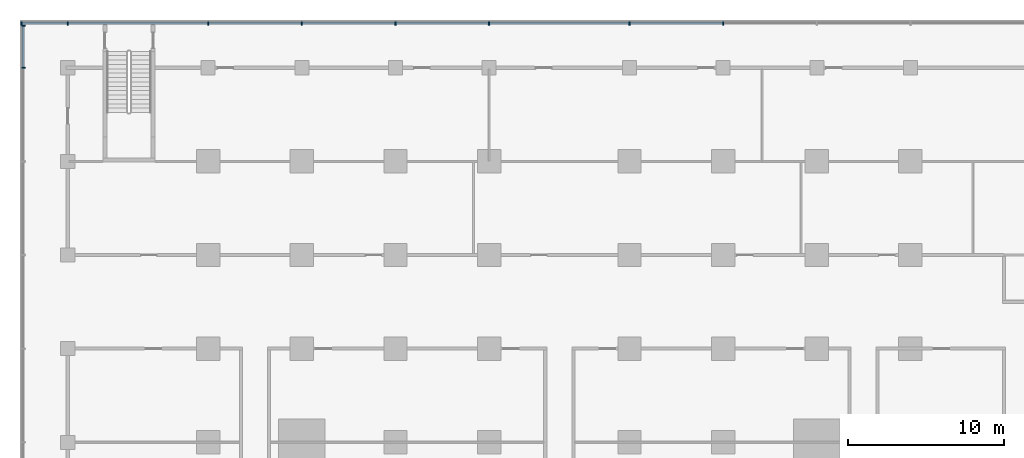
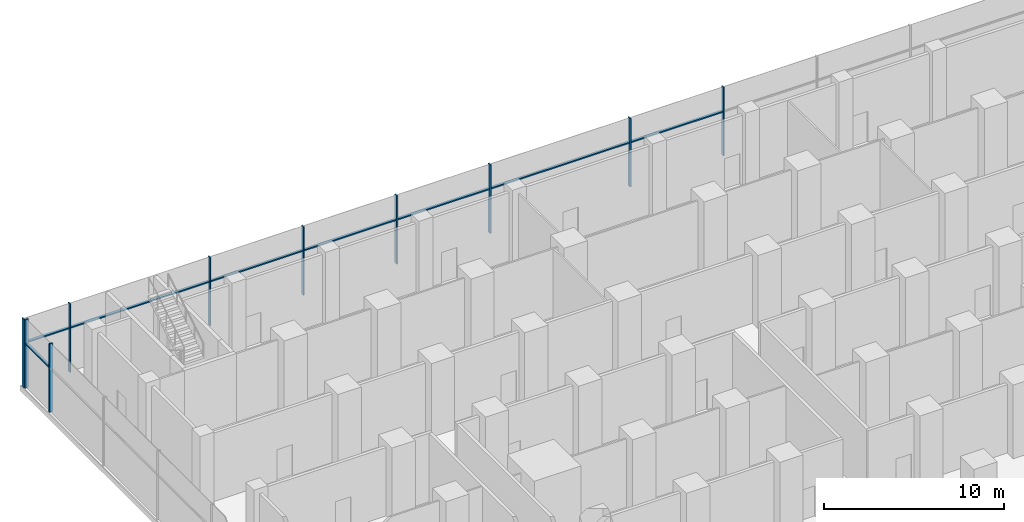
# One storey, part 7 of 22: 18 members, 2 elements without a shape of their own.
"""IFC4 building model written with IfcOpenShell, lengths in metres."""

from ifc_helpers import new_model, si_unit, direction, frame, origin, origin_2d, place, context, subcontext, project, spatial, rectangle, extrude, material, material_profile, profile_set, type_object, element, aggregate, save


model = new_model("IFC4")

# Units and contexts
model_context = context("Model", 3, precision=1e-05, world=origin(), true_north=direction((0.0, 1.0)))
body_context = subcontext(model_context, "Body", "Model", "MODEL_VIEW")
ifc_project = project(units=[si_unit("LENGTHUNIT", "METRE"), si_unit("AREAUNIT", "SQUARE_METRE"), si_unit("VOLUMEUNIT", "CUBIC_METRE"), si_unit("PLANEANGLEUNIT", "RADIAN"), si_unit("MASSUNIT", "GRAM", prefix="KILO")], contexts=[model_context])

# Site, building, storey
site_placement = place(None, origin())
site = spatial("IfcSite", under=ifc_project, at=site_placement, CompositionType="ELEMENT")
building_placement = place(site_placement, origin())
building = spatial("IfcBuilding", under=site, at=building_placement, Name="Finial Court Residences", CompositionType="ELEMENT")
storey_placement = place(building_placement, frame((0.0, 0.0, 13.5)))
storey = spatial("IfcBuildingStorey", under=building, at=storey_placement, Name="L02", CompositionType="ELEMENT", Elevation=13.5)

# Curtain wall, members
ifc_material = material(Name="Bronze anodised aluminium", Category="aluminium")
curtain_wall_type = type_object("IfcCurtainWallType", Name="Podium curtain wall", PredefinedType="NOTDEFINED", material=ifc_material)
curtain_wall_1_placement = place(storey_placement, origin())
curtain_wall_1 = element("IfcCurtainWall", 1, at=curtain_wall_1_placement, inside=storey, type_object=curtain_wall_type, Name="E-L02-CW-N1", PredefinedType="NOTDEFINED")
ifc_material_profile_1 = material_profile(ifc_material, rectangle(XDim=0.22509765625, YDim=0.080078125, at=origin_2d()), Name="CW5 mullion 80 x 225")
ifc_profile_set_1 = profile_set([ifc_material_profile_1], Name="Bronze anodised aluminium")
member_type_1 = type_object("IfcMemberType", Name="CW5 mullion 80 x 225", PredefinedType="MULLION", material=ifc_profile_set_1)
member_1_placement = place(storey_placement, frame((-34.4599609375, 34.35009765625, 0.0), z_axis=(0.0, 0.0, 1.0), x_axis=(0.0, 1.0, 0.0)))
member_1 = element("IfcMember", 2, at=member_1_placement, type_object=member_type_1, Name="CW5 mullion 1", PredefinedType="MULLION", context=body_context, shape_type="SweptSolid", body=[
    extrude(rectangle(XDim=0.22509765625, YDim=0.080078125, at=origin_2d()), origin(), (0.0, 0.0, 1.0), 4.64990234375),
])
member_2_placement = place(storey_placement, frame((-31.5, 34.35009765625, 0.0), z_axis=(0.0, 0.0, 1.0), x_axis=(0.0, 1.0, 0.0)))
member_2 = element("IfcMember", 3, at=member_2_placement, type_object=member_type_1, Name="CW5 mullion 2", PredefinedType="MULLION", context=body_context, shape_type="SweptSolid", body=[
    extrude(rectangle(XDim=0.22509765625, YDim=0.080078125, at=origin_2d()), origin(), (0.0, 0.0, 1.0), 4.64990234375),
])
member_3_placement = place(storey_placement, frame((-22.5, 34.35009765625, 0.0), z_axis=(0.0, 0.0, 1.0), x_axis=(0.0, 1.0, 0.0)))
member_3 = element("IfcMember", 4, at=member_3_placement, type_object=member_type_1, Name="CW5 mullion 3", PredefinedType="MULLION", context=body_context, shape_type="SweptSolid", body=[
    extrude(rectangle(XDim=0.22509765625, YDim=0.080078125, at=origin_2d()), origin(), (0.0, 0.0, 1.0), 4.64990234375),
])
member_4_placement = place(storey_placement, frame((-16.5, 34.35009765625, 0.0), z_axis=(0.0, 0.0, 1.0), x_axis=(0.0, 1.0, 0.0)))
member_4 = element("IfcMember", 5, at=member_4_placement, type_object=member_type_1, Name="CW5 mullion 4", PredefinedType="MULLION", context=body_context, shape_type="SweptSolid", body=[
    extrude(rectangle(XDim=0.22509765625, YDim=0.080078125, at=origin_2d()), origin(), (0.0, 0.0, 1.0), 4.64990234375),
])
member_5_placement = place(storey_placement, frame((-10.5, 34.35009765625, 0.0), z_axis=(0.0, 0.0, 1.0), x_axis=(0.0, 1.0, 0.0)))
member_5 = element("IfcMember", 6, at=member_5_placement, type_object=member_type_1, Name="CW5 mullion 5", PredefinedType="MULLION", context=body_context, shape_type="SweptSolid", body=[
    extrude(rectangle(XDim=0.22509765625, YDim=0.080078125, at=origin_2d()), origin(), (0.0, 0.0, 1.0), 4.64990234375),
])
member_6_placement = place(storey_placement, frame((-4.5, 34.35009765625, 0.0), z_axis=(0.0, 0.0, 1.0), x_axis=(0.0, 1.0, 0.0)))
member_6 = element("IfcMember", 7, at=member_6_placement, type_object=member_type_1, Name="CW5 mullion 6", PredefinedType="MULLION", context=body_context, shape_type="SweptSolid", body=[
    extrude(rectangle(XDim=0.22509765625, YDim=0.080078125, at=origin_2d()), origin(), (0.0, 0.0, 1.0), 4.64990234375),
])
member_7_placement = place(storey_placement, frame((4.5, 34.35009765625, 0.0), z_axis=(0.0, 0.0, 1.0), x_axis=(0.0, 1.0, 0.0)))
member_7 = element("IfcMember", 8, at=member_7_placement, type_object=member_type_1, Name="CW5 mullion 7", PredefinedType="MULLION", context=body_context, shape_type="SweptSolid", body=[
    extrude(rectangle(XDim=0.22509765625, YDim=0.080078125, at=origin_2d()), origin(), (0.0, 0.0, 1.0), 4.64990234375),
])
member_8_placement = place(storey_placement, frame((10.5, 34.35009765625, 0.0), z_axis=(0.0, 0.0, 1.0), x_axis=(0.0, 1.0, 0.0)))
member_8 = element("IfcMember", 9, at=member_8_placement, type_object=member_type_1, Name="CW5 mullion 8", PredefinedType="MULLION", context=body_context, shape_type="SweptSolid", body=[
    extrude(rectangle(XDim=0.22509765625, YDim=0.080078125, at=origin_2d()), origin(), (0.0, 0.0, 1.0), 4.64990234375),
])

curtain_wall_2_placement = place(storey_placement, origin())
curtain_wall_2 = element("IfcCurtainWall", 10, at=curtain_wall_2_placement, inside=storey, type_object=curtain_wall_type, Name="E-L02-CW-W4", PredefinedType="NOTDEFINED")
member_9_placement = place(storey_placement, frame((-34.35009765625, 31.5, 0.0), z_axis=(0.0, 0.0, 1.0), x_axis=(-1.0, 0.0, 0.0)))
member_9 = element("IfcMember", 11, at=member_9_placement, type_object=member_type_1, Name="CW5 mullion 11", PredefinedType="MULLION", context=body_context, shape_type="SweptSolid", body=[
    extrude(rectangle(XDim=0.22509765625, YDim=0.080078125, at=origin_2d()), origin(), (0.0, 0.0, 1.0), 4.64990234375),
])
member_10_placement = place(storey_placement, frame((-34.35009765625, 34.197509765625, 0.0), z_axis=(0.0, 0.0, 1.0), x_axis=(-1.0, 0.0, 0.0)))
member_10 = element("IfcMember", 12, at=member_10_placement, type_object=member_type_1, Name="CW5 mullion 12", PredefinedType="MULLION", context=body_context, shape_type="SweptSolid", body=[
    extrude(rectangle(XDim=0.22509765625, YDim=0.080078125, at=origin_2d()), origin(), (0.0, 0.0, 1.0), 4.64990234375),
])

# Member
ifc_material_profile_2 = material_profile(ifc_material, rectangle(XDim=0.175048828125, YDim=0.080078125, at=origin_2d()), Name="CW5 transom 80 x 175")
ifc_profile_set_2 = profile_set([ifc_material_profile_2], Name="Bronze anodised aluminium")
member_type_2 = type_object("IfcMemberType", Name="CW5 transom 80 x 175", PredefinedType="USERDEFINED", material=ifc_profile_set_2)
member_11_placement = place(storey_placement, frame((-34.419921875, 34.35009765625, 3.0), z_axis=(1.0, 0.0, 0.0), x_axis=(0.0, 1.0, 0.0)))
member_11 = element("IfcMember", 13, at=member_11_placement, type_object=member_type_2, Name="CW5 transom 1.1", ObjectType="TRANSOM", PredefinedType="USERDEFINED", context=body_context, shape_type="SweptSolid", body=[
    extrude(rectangle(XDim=0.175048828125, YDim=0.080078125, at=origin_2d()), origin(), (0.0, 0.0, 1.0), 2.8798828125),
])

member_12_placement = place(storey_placement, frame((-31.4599609375, 34.35009765625, 3.0), z_axis=(1.0, 0.0, 0.0), x_axis=(0.0, 1.0, 0.0)))
member_12 = element("IfcMember", 14, at=member_12_placement, type_object=member_type_2, Name="CW5 transom 2.1", ObjectType="TRANSOM", PredefinedType="USERDEFINED", context=body_context, shape_type="SweptSolid", body=[
    extrude(rectangle(XDim=0.175048828125, YDim=0.080078125, at=origin_2d()), origin(), (0.0, 0.0, 1.0), 8.919921875),
])

member_13_placement = place(storey_placement, frame((-22.4599609375, 34.35009765625, 3.0), z_axis=(1.0, 0.0, 0.0), x_axis=(0.0, 1.0, 0.0)))
member_13 = element("IfcMember", 15, at=member_13_placement, type_object=member_type_2, Name="CW5 transom 3.1", ObjectType="TRANSOM", PredefinedType="USERDEFINED", context=body_context, shape_type="SweptSolid", body=[
    extrude(rectangle(XDim=0.175048828125, YDim=0.080078125, at=origin_2d()), origin(), (0.0, 0.0, 1.0), 5.919921875),
])

member_14_placement = place(storey_placement, frame((-16.4599609375, 34.35009765625, 3.0), z_axis=(1.0, 0.0, 0.0), x_axis=(0.0, 1.0, 0.0)))
member_14 = element("IfcMember", 16, at=member_14_placement, type_object=member_type_2, Name="CW5 transom 4.1", ObjectType="TRANSOM", PredefinedType="USERDEFINED", context=body_context, shape_type="SweptSolid", body=[
    extrude(rectangle(XDim=0.175048828125, YDim=0.080078125, at=origin_2d()), origin(), (0.0, 0.0, 1.0), 5.919921875),
])

member_15_placement = place(storey_placement, frame((-10.4599609375, 34.35009765625, 3.0), z_axis=(1.0, 0.0, 0.0), x_axis=(0.0, 1.0, 0.0)))
member_15 = element("IfcMember", 17, at=member_15_placement, type_object=member_type_2, Name="CW5 transom 5.1", ObjectType="TRANSOM", PredefinedType="USERDEFINED", context=body_context, shape_type="SweptSolid", body=[
    extrude(rectangle(XDim=0.175048828125, YDim=0.080078125, at=origin_2d()), origin(), (0.0, 0.0, 1.0), 5.919921875),
])

member_16_placement = place(storey_placement, frame((-4.4599609375, 34.35009765625, 3.0), z_axis=(1.0, 0.0, 0.0), x_axis=(0.0, 1.0, 0.0)))
member_16 = element("IfcMember", 18, at=member_16_placement, type_object=member_type_2, Name="CW5 transom 6.1", ObjectType="TRANSOM", PredefinedType="USERDEFINED", context=body_context, shape_type="SweptSolid", body=[
    extrude(rectangle(XDim=0.175048828125, YDim=0.080078125, at=origin_2d()), origin(), (0.0, 0.0, 1.0), 8.919921875),
])

member_17_placement = place(storey_placement, frame((4.5400390625, 34.35009765625, 3.0), z_axis=(1.0, 0.0, 0.0), x_axis=(0.0, 1.0, 0.0)))
member_17 = element("IfcMember", 19, at=member_17_placement, type_object=member_type_2, Name="CW5 transom 7.1", ObjectType="TRANSOM", PredefinedType="USERDEFINED", context=body_context, shape_type="SweptSolid", body=[
    extrude(rectangle(XDim=0.175048828125, YDim=0.080078125, at=origin_2d()), origin(), (0.0, 0.0, 1.0), 5.919921875),
])

aggregate(curtain_wall_1, [member_1, member_2, member_3, member_4, member_5, member_6, member_7, member_8, member_11, member_12, member_13, member_14, member_15, member_16, member_17])

member_18_placement = place(storey_placement, frame((-34.35009765625, 31.5400390625, 3.0), z_axis=(0.0, 1.0, 0.0), x_axis=(-1.0, 0.0, 0.0)))
member_18 = element("IfcMember", 20, at=member_18_placement, type_object=member_type_2, Name="CW5 transom 11.1", ObjectType="TRANSOM", PredefinedType="USERDEFINED", context=body_context, shape_type="SweptSolid", body=[
    extrude(rectangle(XDim=0.175048828125, YDim=0.080078125, at=origin_2d()), origin(), (0.0, 0.0, 1.0), 2.617431640625),
])

aggregate(curtain_wall_2, [member_9, member_10, member_18])

save(model, "model.ifc")
